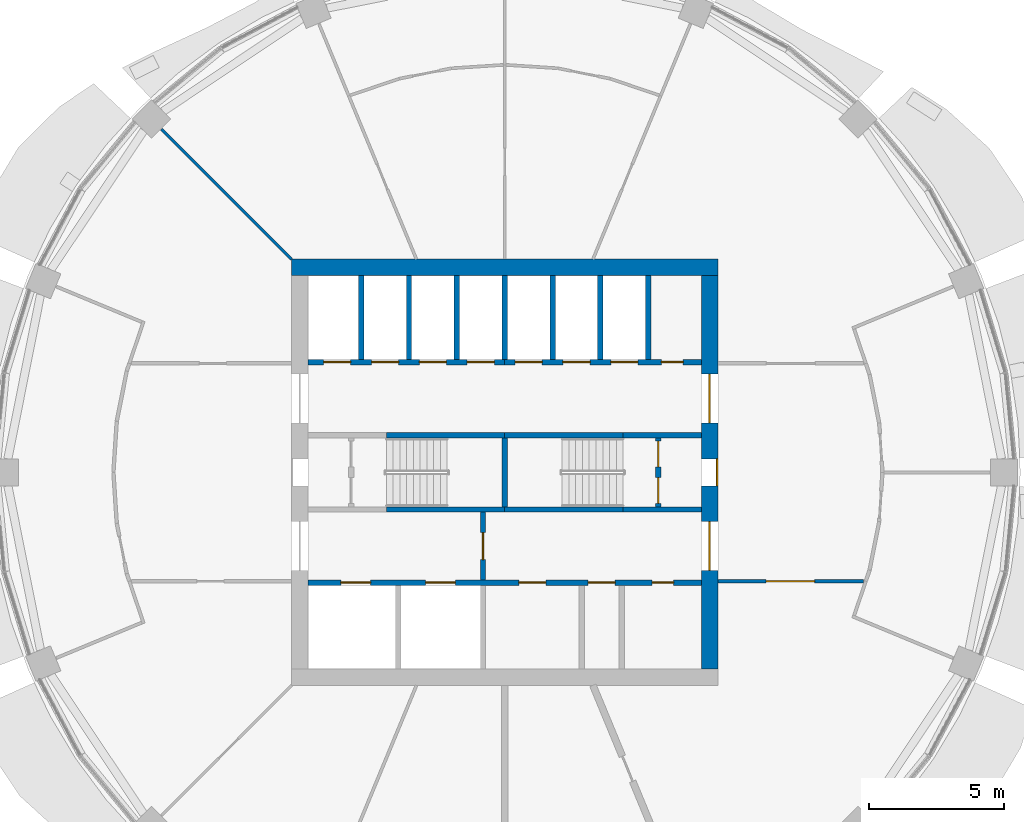
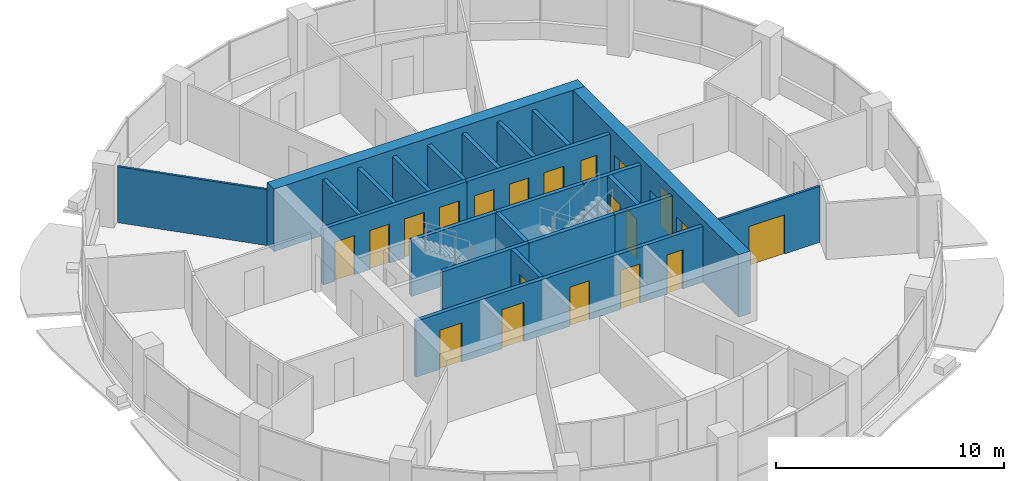
# One storey, part 9 of 15: 23 walls, 20 doors, 20 openings.
"""IFC4 building model written with IfcOpenShell, lengths in metres."""

import ifcopenshell
import ifcopenshell.guid

model = None  # the IFC model being written
_history = None  # IfcOwnerHistory: only IFC2X3 demands one
_inside = {}  # id of a spatial element -> (the spatial element, [elements in it])
_under = {}  # id of a project, library or spatial element -> (it, [spatial elements below it])
_declared = {}  # id of a project -> (the project, [libraries it declares])
_typed = {}  # id of a type object -> (the type object, [elements of that type])
_made_of = {}  # id of a material, layer set ... -> (it, [elements and type objects made of it])


def new_model(schema):
    """Start an empty IFC model of exactly this schema.

    Asked for "IFC4X3", IfcOpenShell would pick the latest addendum, in which some entities
    have other attributes; the version numbers below select the first issue.
    IFC2X3 requires an IfcOwnerHistory on every rooted entity: one is made here for all.
    """
    global model, _history
    if schema == "IFC4X3":
        model = ifcopenshell.file(schema_version=(4, 3, 0, 0))
    else:
        model = ifcopenshell.file(schema=schema)
    _inside.clear()
    _under.clear()
    _declared.clear()
    _typed.clear()
    _made_of.clear()
    _history = None
    if model.schema == "IFC2X3":
        org = make("IfcOrganization", Name="unknown")
        user = make(
            "IfcPersonAndOrganization",
            ThePerson=make("IfcPerson", FamilyName="unknown"),
            TheOrganization=org,
        )
        app = make(
            "IfcApplication",
            ApplicationDeveloper=org,
            Version="unknown",
            ApplicationFullName="unknown",
            ApplicationIdentifier="unknown",
        )
        _history = make(
            "IfcOwnerHistory",
            OwningUser=user,
            OwningApplication=app,
            ChangeAction="ADDED",
            CreationDate=0,
        )
    return model


def make(cls, **values):
    """One entity of the class cls with the attributes given. An attribute that is None is left unset."""
    return model.create_entity(
        cls, **{name: value for name, value in values.items() if value is not None}
    )


def rooted(cls, **values):
    """An entity with a GlobalId (a new one), such as an element, a storey or a relation."""
    return make(cls, GlobalId=ifcopenshell.guid.new(), OwnerHistory=_history, **values)


def si_unit(unit_type, name, prefix=None):
    """IfcSIUnit, for example si_unit("LENGTHUNIT", "METRE", prefix="MILLI")."""
    return make("IfcSIUnit", UnitType=unit_type, Prefix=prefix, Name=name)


def assignment(units):
    """IfcUnitAssignment: the units of a project."""
    return None if units is None else make("IfcUnitAssignment", Units=units)


def point(xyz):
    """IfcCartesianPoint."""
    return None if xyz is None else make("IfcCartesianPoint", Coordinates=xyz)


def direction(xyz):
    """IfcDirection."""
    return None if xyz is None else make("IfcDirection", DirectionRatios=xyz)


def frame(location, z_axis=None, x_axis=None):
    """IfcAxis2Placement3D, a coordinate frame: its origin and axes. An axis left out is left unset."""
    return make(
        "IfcAxis2Placement3D",
        Location=point(location),
        Axis=direction(z_axis),
        RefDirection=direction(x_axis),
    )


def frame_2d(location, x_axis=None):
    """IfcAxis2Placement2D, a coordinate frame in the plane: its origin and x axis."""
    return make(
        "IfcAxis2Placement2D", Location=point(location), RefDirection=direction(x_axis)
    )


def origin():
    """The frame at (0, 0, 0) with its axes left unset."""
    return frame((0.0, 0.0, 0.0))


def place(relative_to, where):
    """IfcLocalPlacement: puts the frame where relative to a parent placement (None: the world)."""
    return make(
        "IfcLocalPlacement", PlacementRelTo=relative_to, RelativePlacement=where
    )


def context(
    kind, dimensions, precision=None, world=None, true_north=None, identifier=None
):
    """IfcGeometricRepresentationContext, for example the 3D "Model" context."""
    return make(
        "IfcGeometricRepresentationContext",
        ContextIdentifier=identifier,
        ContextType=kind,
        CoordinateSpaceDimension=dimensions,
        Precision=precision,
        WorldCoordinateSystem=world,
        TrueNorth=true_north,
    )


def subcontext(parent, identifier, kind, view, scale=None):
    """IfcGeometricRepresentationSubContext, for example "Body" below "Model"."""
    return make(
        "IfcGeometricRepresentationSubContext",
        ContextIdentifier=identifier,
        ContextType=kind,
        ParentContext=parent,
        TargetScale=scale,
        TargetView=view,
    )


def project(units=None, contexts=None):
    """IfcProject with its units and contexts."""
    return rooted(
        "IfcProject",
        Name="project",
        RepresentationContexts=contexts,
        UnitsInContext=assignment(units),
    )


def spatial(cls, under=None, at=None, **own):
    """A site, building, storey or space (cls), placed at a placement, below another one or the project."""
    s = rooted(cls, ObjectPlacement=at, **own)
    if under is not None:
        _under.setdefault(under.id(), (under, []))[1].append(s)
    return s


def profile(cls, at=None, kind="AREA", **sizes):
    """A parametric profile (cls). Its sizes go by their IFC names, for example OverallWidth=200.0."""
    return make(cls, ProfileType=kind, Position=at, **sizes)


def rectangle(**sizes):
    """IfcRectangleProfileDef."""
    return profile("IfcRectangleProfileDef", **sizes)


def extrude(swept, where, along, depth):
    """IfcExtrudedAreaSolid: the profile swept, set in the frame where, extruded along a direction by depth."""
    return make(
        "IfcExtrudedAreaSolid",
        SweptArea=swept,
        Position=where,
        ExtrudedDirection=direction(along),
        Depth=depth,
    )


def shape(context_of_items, identifier, shape_type, items):
    """IfcShapeRepresentation: the items that make up one representation, for example the "Body"."""
    return make(
        "IfcShapeRepresentation",
        ContextOfItems=context_of_items,
        RepresentationIdentifier=identifier,
        RepresentationType=shape_type,
        Items=items,
    )


def material(Name=None, Category=None):
    """IfcMaterial."""
    return make("IfcMaterial", Name=Name, Category=Category)


def layer(
    of_material, thickness, ventilated=None, Name=None, Category=None, Priority=None
):
    """IfcMaterialLayer: one layer of a wall or slab, of a material (None: an air gap)."""
    return make(
        "IfcMaterialLayer",
        Material=of_material,
        LayerThickness=thickness,
        IsVentilated=ventilated,
        Name=Name,
        Category=Category,
        Priority=Priority,
    )


def layer_set(layers, Name=None):
    """IfcMaterialLayerSet."""
    return make("IfcMaterialLayerSet", MaterialLayers=layers, LayerSetName=Name)


def made_of(thing, what):
    """Note that an element or type object is made of a material, layer set ...; save() writes the relation."""
    if what is not None:
        _made_of.setdefault(what.id(), (what, []))[1].append(thing)
    return thing


def type_object(cls, material=None, **own):
    """A type object (cls), such as IfcWallType, which elements share."""
    return made_of(rooted(cls, **own), material)


def element(
    cls,
    number,
    at=None,
    inside=None,
    cuts=None,
    type_object=None,
    material=None,
    context=None,
    identifier="Body",
    shape_type=None,
    held_by="IfcProductDefinitionShape",
    body=None,
    shapes=None,
    **own,
):
    """One element of the class cls, such as IfcWall. Its Tag is "e" and its number.

    at: its placement. inside: the storey or other place that contains it. cuts: it is an
    opening in that element (IfcRelVoidsElement). A single representation is given by context,
    identifier, shape_type and body (its items); several are given by shapes. held_by: the class
    of the entity that holds the representations. save() writes the other relations.
    """
    e = rooted(cls, Tag="e%d" % number, ObjectPlacement=at, **own)
    if body is not None:
        shapes = [shape(context, identifier, shape_type, body)]
    if shapes is not None:
        e.Representation = make(held_by, Representations=shapes)
    if inside is not None:
        _inside.setdefault(inside.id(), (inside, []))[1].append(e)
    if cuts is not None:
        rooted(
            "IfcRelVoidsElement", RelatingBuildingElement=cuts, RelatedOpeningElement=e
        )
    if type_object is not None:
        _typed.setdefault(type_object.id(), (type_object, []))[1].append(e)
    return made_of(e, material)


def fill(opening, filler):
    """IfcRelFillsElement: the door or window that sits in an opening."""
    return rooted(
        "IfcRelFillsElement",
        RelatingOpeningElement=opening,
        RelatedBuildingElement=filler,
    )


def aggregate(whole, parts):
    """IfcRelAggregates: a whole, such as a stair, and the parts it consists of."""
    return rooted("IfcRelAggregates", RelatingObject=whole, RelatedObjects=parts)


def save(model, path):
    """Write the relations noted so far, then the file.

    IfcRelAggregates (storeys below a building ...), IfcRelContainedInSpatialStructure (elements
    in a storey), IfcRelDefinesByType, IfcRelAssociatesMaterial and IfcRelDeclares: one each for
    every whole, place, type object, material and project.
    """
    for whole, parts in _under.values():
        aggregate(whole, parts)
    for where, things in _inside.values():
        rooted(
            "IfcRelContainedInSpatialStructure",
            RelatedElements=things,
            RelatingStructure=where,
        )
    for kind, things in _typed.values():
        rooted("IfcRelDefinesByType", RelatedObjects=things, RelatingType=kind)
    for what, things in _made_of.values():
        rooted("IfcRelAssociatesMaterial", RelatedObjects=things, RelatingMaterial=what)
    for by, libraries in _declared.values():
        rooted("IfcRelDeclares", RelatingContext=by, RelatedDefinitions=libraries)
    model.write(path)


model = new_model("IFC4")

# Units and contexts
model_context = context("Model", 3, precision=1e-05, world=origin(), true_north=direction((0.0, 1.0)))
body_context = subcontext(model_context, "Body", "Model", "MODEL_VIEW")
ifc_project = project(units=[si_unit("LENGTHUNIT", "METRE"), si_unit("AREAUNIT", "SQUARE_METRE"), si_unit("VOLUMEUNIT", "CUBIC_METRE"), si_unit("PLANEANGLEUNIT", "RADIAN"), si_unit("MASSUNIT", "GRAM", prefix="KILO")], contexts=[model_context])

# Site, building, storey
site_placement = place(None, origin())
site = spatial("IfcSite", under=ifc_project, at=site_placement, CompositionType="ELEMENT")
building_placement = place(site_placement, origin())
building = spatial("IfcBuilding", under=site, at=building_placement, Name="Polderwave Tower", CompositionType="ELEMENT")
storey_placement = place(building_placement, frame((0.0, 0.0, 120.949951171875)))
storey = spatial("IfcBuildingStorey", under=building, at=storey_placement, Name="L31", CompositionType="ELEMENT", Elevation=120.949951171875)

# Wall
ifc_material_1 = material(Name="Concrete C60/75", Category="concrete")
ifc_layer_1 = layer(ifc_material_1, 0.60009765625)
ifc_layer_set_1 = layer_set([ifc_layer_1], Name="CORE WALL 600 C60/75")
wall_type_1 = type_object("IfcWallType", Name="CORE WALL 600 C60/75", PredefinedType="SHEAR", material=ifc_layer_set_1)
wall_1_placement = place(storey_placement, frame((-7.8740234375, 7.573974609375, 0.0), z_axis=(0.0, 0.0, 1.0), x_axis=(1.0, 0.0, 0.0)))
element("IfcWall", 1, at=wall_1_placement, inside=storey, type_object=wall_type_1, Name="ST-CORE-L31-N", PredefinedType="SHEAR", context=body_context, shape_type="SweptSolid", body=[
    extrude(rectangle(XDim=15.748046875, YDim=0.60009765625, at=frame_2d((7.8740234375, 0.0))), origin(), (0.0, 0.0, 1.0), 3.35009765625),
])

# Wall, openings, doors
wall_2_placement = place(storey_placement, frame((7.573974609375, -7.27392578125, 0.0), z_axis=(0.0, 0.0, 1.0), x_axis=(0.0, 1.0, 0.0)))
wall_2 = element("IfcWall", 2, at=wall_2_placement, inside=storey, type_object=wall_type_1, Name="ST-CORE-L31-E", PredefinedType="SHEAR", context=body_context, shape_type="SweptSolid", body=[
    extrude(rectangle(XDim=14.5478515625, YDim=0.60009765625, at=frame_2d((7.27392578125, 0.0))), origin(), (0.0, 0.0, 1.0), 3.35009765625),
])
opening_1_placement = place(wall_2_placement, frame((6.77392578125, 0.0, 0.0)))
opening_1 = element("IfcOpeningElement", 3, at=opening_1_placement, cuts=wall_2, Name="Opening L31-D22", PredefinedType="OPENING", context=body_context, shape_type="SweptSolid", body=[
    extrude(rectangle(XDim=1.0, YDim=2.10009765625, at=frame_2d((0.5, 1.050048828125))), frame((0.0, 0.31005859375, 0.0), z_axis=(0.0, -1.0, 0.0), x_axis=(1.0, 0.0, 0.0)), (0.0, 0.0, 1.0), 0.6201171875),
])
opening_2_placement = place(wall_2_placement, frame((3.6494140625, 0.0, 0.0)))
opening_2 = element("IfcOpeningElement", 4, at=opening_2_placement, cuts=wall_2, Name="Opening L31-D23", PredefinedType="OPENING", context=body_context, shape_type="SweptSolid", body=[
    extrude(rectangle(XDim=1.800048828125, YDim=2.10009765625, at=frame_2d((0.89990234375, 1.050048828125))), frame((0.0, 0.31005859375, 0.0), z_axis=(0.0, -1.0, 0.0), x_axis=(1.0, 0.0, 0.0)), (0.0, 0.0, 1.0), 0.6201171875),
])
opening_3_placement = place(wall_2_placement, frame((9.098388671875, 0.0, 0.0)))
opening_3 = element("IfcOpeningElement", 5, at=opening_3_placement, cuts=wall_2, Name="Opening L31-D24", PredefinedType="OPENING", context=body_context, shape_type="SweptSolid", body=[
    extrude(rectangle(XDim=1.800048828125, YDim=2.10009765625, at=frame_2d((0.89990234375, 1.050048828125))), frame((0.0, 0.31005859375, 0.0), z_axis=(0.0, -1.0, 0.0), x_axis=(1.0, 0.0, 0.0)), (0.0, 0.0, 1.0), 0.6201171875),
])
ifc_material_2 = material(Name="Steel fire door", Category="steel")
door_type_1 = type_object("IfcDoorType", Name="Lobby entry door pair 1800", OperationType="DOUBLE_DOOR_SINGLE_SWING", PredefinedType="DOOR", material=ifc_material_2)
door_1_placement = place(opening_2_placement, frame((1.800048828125, 0.0, 0.0), z_axis=(0.0, 0.0, 1.0), x_axis=(-1.0, 0.0, 0.0)))
door_1 = element("IfcDoor", 6, at=door_1_placement, inside=storey, type_object=door_type_1, Name="South lobby entry door", OperationType="DOUBLE_DOOR_SINGLE_SWING", OverallHeight=2.10009765625, OverallWidth=1.800048828125, PredefinedType="DOOR", context=body_context, shape_type="SweptSolid", body=[
    extrude(rectangle(XDim=1.800048828125, YDim=2.10009765625, at=frame_2d((0.89990234375, 1.050048828125))), frame((0.0, 0.02490234375, 0.0), z_axis=(0.0, -1.0, 0.0), x_axis=(1.0, 0.0, 0.0)), (0.0, 0.0, 1.0), 0.050048828125),
])
fill(opening_2, door_1)
door_2_placement = place(opening_3_placement, frame((1.800048828125, 0.0, 0.0), z_axis=(0.0, 0.0, 1.0), x_axis=(-1.0, 0.0, 0.0)))
door_2 = element("IfcDoor", 7, at=door_2_placement, inside=storey, type_object=door_type_1, Name="North lobby entry door", OperationType="DOUBLE_DOOR_SINGLE_SWING", OverallHeight=2.10009765625, OverallWidth=1.800048828125, PredefinedType="DOOR", context=body_context, shape_type="SweptSolid", body=[
    extrude(rectangle(XDim=1.800048828125, YDim=2.10009765625, at=frame_2d((0.89990234375, 1.050048828125))), frame((0.0, 0.02490234375, 0.0), z_axis=(0.0, -1.0, 0.0), x_axis=(1.0, 0.0, 0.0)), (0.0, 0.0, 1.0), 0.050048828125),
])
fill(opening_3, door_2)
door_type_2 = type_object("IfcDoorType", Name="Stair door 1000", OperationType="NOTDEFINED", PredefinedType="DOOR", material=ifc_material_2)
door_3_placement = place(opening_1_placement, frame((1.0, 0.0, 0.0), z_axis=(0.0, 0.0, 1.0), x_axis=(-1.0, 0.0, 0.0)))
door_3 = element("IfcDoor", 8, at=door_3_placement, inside=storey, type_object=door_type_2, Name="Stair B entry door", OperationType="SINGLE_SWING_LEFT", OverallHeight=2.10009765625, OverallWidth=1.0, PredefinedType="DOOR", context=body_context, shape_type="SweptSolid", body=[
    extrude(rectangle(XDim=1.0, YDim=2.10009765625, at=frame_2d((0.5, 1.050048828125))), frame((0.0, 0.2998046875, 0.0), z_axis=(0.0, -1.0, 0.0), x_axis=(1.0, 0.0, 0.0)), (0.0, 0.0, 1.0), 0.050048828125),
])
fill(opening_1, door_3)

# Wall, opening, door
ifc_material_3 = material(Name="Gypsum board partition")
ifc_layer_2 = layer(ifc_material_3, 0.199951171875)
ifc_layer_set_2 = layer_set([ifc_layer_2], Name="Core room partition 200")
wall_type_2 = type_object("IfcWallType", Name="Core room partition 200", PredefinedType="PARTITIONING", material=ifc_layer_set_2)
wall_3_placement = place(storey_placement, frame((-0.800048828125, -3.97412109375, 0.0), z_axis=(0.0, 0.0, 1.0), x_axis=(0.0, 1.0, 0.0)))
wall_3 = element("IfcWall", 9, at=wall_3_placement, inside=storey, type_object=wall_type_2, Name="L31 fire-fighting lobby wall", PredefinedType="PARTITIONING", context=body_context, shape_type="SweptSolid", body=[
    extrude(rectangle(XDim=2.4990234375, YDim=0.199951171875, at=frame_2d((1.24951171875, 0.0))), origin(), (0.0, 0.0, 1.0), 3.0),
])
opening_4_placement = place(wall_3_placement, frame((0.74951171875, 0.0, 0.0)))
opening_4 = element("IfcOpeningElement", 10, at=opening_4_placement, cuts=wall_3, Name="Opening L31-D14", PredefinedType="OPENING", context=body_context, shape_type="SweptSolid", body=[
    extrude(rectangle(XDim=1.0, YDim=2.10009765625, at=frame_2d((0.5, 1.050048828125))), frame((0.0, 0.10986328125, 0.0), z_axis=(0.0, -1.0, 0.0), x_axis=(1.0, 0.0, 0.0)), (0.0, 0.0, 1.0), 0.219970703125),
])
door_type_3 = type_object("IfcDoorType", Name="Lobby fire door 1000", OperationType="NOTDEFINED", PredefinedType="DOOR", material=ifc_material_2)
door_4_placement = place(opening_4_placement, frame((1.0, 0.0, 0.0), z_axis=(0.0, 0.0, 1.0), x_axis=(-1.0, 0.0, 0.0)))
door_4 = element("IfcDoor", 11, at=door_4_placement, inside=storey, type_object=door_type_3, Name="Fire-fighting lobby door", OperationType="SINGLE_SWING_LEFT", OverallHeight=2.10009765625, OverallWidth=1.0, PredefinedType="DOOR", context=body_context, shape_type="SweptSolid", body=[
    extrude(rectangle(XDim=1.0, YDim=2.10009765625, at=frame_2d((0.5, 1.050048828125))), frame((0.0, 0.02490234375, 0.0), z_axis=(0.0, -1.0, 0.0), x_axis=(1.0, 0.0, 0.0)), (0.0, 0.0, 1.0), 0.050048828125),
])
fill(opening_4, door_4)

# Wall, openings, doors
wall_4_placement = place(storey_placement, frame((5.674072265625, -1.27490234375, 0.0), z_axis=(0.0, 0.0, 1.0), x_axis=(0.0, 1.0, 0.0)))
wall_4 = element("IfcWall", 12, at=wall_4_placement, inside=storey, type_object=wall_type_2, Name="L31 smoke lobby wall B", PredefinedType="PARTITIONING", context=body_context, shape_type="SweptSolid", body=[
    extrude(rectangle(XDim=2.5498046875, YDim=0.199951171875, at=frame_2d((1.27490234375, 0.0))), origin(), (0.0, 0.0, 1.0), 3.0),
])
opening_5_placement = place(wall_4_placement, frame((0.125, 0.0, 0.0)))
opening_5 = element("IfcOpeningElement", 13, at=opening_5_placement, cuts=wall_4, Name="Opening L31-D12", PredefinedType="OPENING", context=body_context, shape_type="SweptSolid", body=[
    extrude(rectangle(XDim=0.949951171875, YDim=2.10009765625, at=frame_2d((0.47509765625, 1.050048828125))), frame((0.0, 0.10986328125, 0.0), z_axis=(0.0, -1.0, 0.0), x_axis=(1.0, 0.0, 0.0)), (0.0, 0.0, 1.0), 0.219970703125),
])
opening_6_placement = place(wall_4_placement, frame((1.47509765625, 0.0, 0.0)))
opening_6 = element("IfcOpeningElement", 14, at=opening_6_placement, cuts=wall_4, Name="Opening L31-D13", PredefinedType="OPENING", context=body_context, shape_type="SweptSolid", body=[
    extrude(rectangle(XDim=0.949951171875, YDim=2.10009765625, at=frame_2d((0.47509765625, 1.050048828125))), frame((0.0, 0.10986328125, 0.0), z_axis=(0.0, -1.0, 0.0), x_axis=(1.0, 0.0, 0.0)), (0.0, 0.0, 1.0), 0.219970703125),
])
door_type_4 = type_object("IfcDoorType", Name="Smoke lobby door 950", OperationType="NOTDEFINED", PredefinedType="DOOR", material=ifc_material_2)
door_5_placement = place(opening_5_placement, frame((0.949951171875, 0.0, 0.0), z_axis=(0.0, 0.0, 1.0), x_axis=(-1.0, 0.0, 0.0)))
door_5 = element("IfcDoor", 15, at=door_5_placement, inside=storey, type_object=door_type_4, Name="Stair B smoke lobby inner door", OperationType="SINGLE_SWING_RIGHT", OverallHeight=2.10009765625, OverallWidth=0.949951171875, PredefinedType="DOOR", context=body_context, shape_type="SweptSolid", body=[
    extrude(rectangle(XDim=0.949951171875, YDim=2.10009765625, at=frame_2d((0.47509765625, 1.050048828125))), frame((0.0, 0.02490234375, 0.0), z_axis=(0.0, -1.0, 0.0), x_axis=(1.0, 0.0, 0.0)), (0.0, 0.0, 1.0), 0.050048828125),
])
fill(opening_5, door_5)
door_6_placement = place(opening_6_placement, frame((0.949951171875, 0.0, 0.0), z_axis=(0.0, 0.0, 1.0), x_axis=(-1.0, 0.0, 0.0)))
door_6 = element("IfcDoor", 16, at=door_6_placement, inside=storey, type_object=door_type_4, Name="Stair B smoke lobby inner door", OperationType="SINGLE_SWING_LEFT", OverallHeight=2.10009765625, OverallWidth=0.949951171875, PredefinedType="DOOR", context=body_context, shape_type="SweptSolid", body=[
    extrude(rectangle(XDim=0.949951171875, YDim=2.10009765625, at=frame_2d((0.47509765625, 1.050048828125))), frame((0.0, 0.02490234375, 0.0), z_axis=(0.0, -1.0, 0.0), x_axis=(1.0, 0.0, 0.0)), (0.0, 0.0, 1.0), 0.050048828125),
])
fill(opening_6, door_6)

ifc_material_4 = material(Name="Concrete C50/60", Category="concrete")
ifc_layer_3 = layer(ifc_material_4, 0.199951171875)
ifc_layer_set_3 = layer_set([ifc_layer_3], Name="Core web wall 200")
wall_type_3 = type_object("IfcWallType", Name="Core web wall 200", PredefinedType="SHEAR", material=ifc_layer_set_3)
wall_5_placement = place(storey_placement, frame((-7.27392578125, -4.073974609375, 0.0), z_axis=(0.0, 0.0, 1.0), x_axis=(1.0, 0.0, 0.0)))
wall_5 = element("IfcWall", 17, at=wall_5_placement, inside=storey, type_object=wall_type_3, Name="L31 south front wall", PredefinedType="SHEAR", context=body_context, shape_type="SweptSolid", body=[
    extrude(rectangle(XDim=14.5478515625, YDim=0.199951171875, at=frame_2d((7.27392578125, 0.0))), origin(), (0.0, 0.0, 1.0), 3.0),
])
opening_7_placement = place(wall_5_placement, frame((1.218505859375, 0.0, 0.0)))
opening_7 = element("IfcOpeningElement", 18, at=opening_7_placement, cuts=wall_5, Name="Opening L31-D01", PredefinedType="OPENING", context=body_context, shape_type="SweptSolid", body=[
    extrude(rectangle(XDim=1.10009765625, YDim=2.10009765625, at=frame_2d((0.550048828125, 1.050048828125))), frame((0.0, 0.10986328125, 0.0), z_axis=(0.0, -1.0, 0.0), x_axis=(1.0, 0.0, 0.0)), (0.0, 0.0, 1.0), 0.219970703125),
])
opening_8_placement = place(wall_5_placement, frame((4.35546875, 0.0, 0.0)))
opening_8 = element("IfcOpeningElement", 19, at=opening_8_placement, cuts=wall_5, Name="Opening L31-D02", PredefinedType="OPENING", context=body_context, shape_type="SweptSolid", body=[
    extrude(rectangle(XDim=1.10009765625, YDim=2.10009765625, at=frame_2d((0.550048828125, 1.050048828125))), frame((0.0, 0.10986328125, 0.0), z_axis=(0.0, -1.0, 0.0), x_axis=(1.0, 0.0, 0.0)), (0.0, 0.0, 1.0), 0.219970703125),
])
opening_9_placement = place(wall_5_placement, frame((7.79541015625, 0.0, 0.0)))
opening_9 = element("IfcOpeningElement", 20, at=opening_9_placement, cuts=wall_5, Name="Opening L31-D15", PredefinedType="OPENING", context=body_context, shape_type="SweptSolid", body=[
    extrude(rectangle(XDim=1.0, YDim=2.10009765625, at=frame_2d((0.5, 1.050048828125))), frame((0.0, 0.10986328125, 0.0), z_axis=(0.0, -1.0, 0.0), x_axis=(1.0, 0.0, 0.0)), (0.0, 0.0, 1.0), 0.219970703125),
])
opening_10_placement = place(wall_5_placement, frame((10.356201171875, 0.0, 0.0)))
opening_10 = element("IfcOpeningElement", 21, at=opening_10_placement, cuts=wall_5, Name="Opening L31-D16", PredefinedType="OPENING", context=body_context, shape_type="SweptSolid", body=[
    extrude(rectangle(XDim=1.0, YDim=2.10009765625, at=frame_2d((0.5, 1.050048828125))), frame((0.0, 0.10986328125, 0.0), z_axis=(0.0, -1.0, 0.0), x_axis=(1.0, 0.0, 0.0)), (0.0, 0.0, 1.0), 0.219970703125),
])
opening_11_placement = place(wall_5_placement, frame((12.7216796875, 0.0, 0.0)))
opening_11 = element("IfcOpeningElement", 22, at=opening_11_placement, cuts=wall_5, Name="Opening L31-D17", PredefinedType="OPENING", context=body_context, shape_type="SweptSolid", body=[
    extrude(rectangle(XDim=0.800048828125, YDim=2.10009765625, at=frame_2d((0.39990234375, 1.050048828125))), frame((0.0, 0.10986328125, 0.0), z_axis=(0.0, -1.0, 0.0), x_axis=(1.0, 0.0, 0.0)), (0.0, 0.0, 1.0), 0.219970703125),
])
ifc_material_5 = material(Name="Stainless steel", Category="steel")
door_type_5 = type_object("IfcDoorType", Name="Fire-fighting lift landing door 1100", OperationType="DOUBLE_DOOR_SLIDING", PredefinedType="DOOR", material=ifc_material_5)
door_7_placement = place(opening_7_placement, origin())
door_7 = element("IfcDoor", 23, at=door_7_placement, inside=storey, type_object=door_type_5, Name="Fire-fighting lift FF1 landing door", OperationType="DOUBLE_DOOR_SLIDING", OverallHeight=2.10009765625, OverallWidth=1.10009765625, PredefinedType="DOOR", context=body_context, shape_type="SweptSolid", body=[
    extrude(rectangle(XDim=1.10009765625, YDim=2.10009765625, at=frame_2d((0.550048828125, 1.050048828125))), frame((0.0, 0.02490234375, 0.0), z_axis=(0.0, -1.0, 0.0), x_axis=(1.0, 0.0, 0.0)), (0.0, 0.0, 1.0), 0.050048828125),
])
fill(opening_7, door_7)
door_8_placement = place(opening_8_placement, origin())
door_8 = element("IfcDoor", 24, at=door_8_placement, inside=storey, type_object=door_type_5, Name="Fire-fighting lift FF2 landing door", OperationType="DOUBLE_DOOR_SLIDING", OverallHeight=2.10009765625, OverallWidth=1.10009765625, PredefinedType="DOOR", context=body_context, shape_type="SweptSolid", body=[
    extrude(rectangle(XDim=1.10009765625, YDim=2.10009765625, at=frame_2d((0.550048828125, 1.050048828125))), frame((0.0, 0.02490234375, 0.0), z_axis=(0.0, -1.0, 0.0), x_axis=(1.0, 0.0, 0.0)), (0.0, 0.0, 1.0), 0.050048828125),
])
fill(opening_8, door_8)
door_type_6 = type_object("IfcDoorType", Name="Riser door 800", OperationType="NOTDEFINED", PredefinedType="DOOR", material=ifc_material_2)
door_9_placement = place(opening_11_placement, origin())
door_9 = element("IfcDoor", 25, at=door_9_placement, inside=storey, type_object=door_type_6, Name="Communications room door", OperationType="SINGLE_SWING_RIGHT", OverallHeight=2.10009765625, OverallWidth=0.800048828125, PredefinedType="DOOR", context=body_context, shape_type="SweptSolid", body=[
    extrude(rectangle(XDim=0.800048828125, YDim=2.10009765625, at=frame_2d((0.39990234375, 1.050048828125))), frame((0.0, 0.02490234375, 0.0), z_axis=(0.0, -1.0, 0.0), x_axis=(1.0, 0.0, 0.0)), (0.0, 0.0, 1.0), 0.050048828125),
])
fill(opening_11, door_9)
ifc_material_6 = material(Name="Timber door leaf", Category="wood")
door_type_7 = type_object("IfcDoorType", Name="Room door 1000", OperationType="NOTDEFINED", PredefinedType="DOOR", material=ifc_material_6)
door_10_placement = place(opening_9_placement, frame((1.0, 0.0, 0.0), z_axis=(0.0, 0.0, 1.0), x_axis=(-1.0, 0.0, 0.0)))
door_10 = element("IfcDoor", 26, at=door_10_placement, inside=storey, type_object=door_type_7, Name="Pantry door", OperationType="SINGLE_SWING_LEFT", OverallHeight=2.10009765625, OverallWidth=1.0, PredefinedType="DOOR", context=body_context, shape_type="SweptSolid", body=[
    extrude(rectangle(XDim=1.0, YDim=2.10009765625, at=frame_2d((0.5, 1.050048828125))), frame((0.0, 0.02490234375, 0.0), z_axis=(0.0, -1.0, 0.0), x_axis=(1.0, 0.0, 0.0)), (0.0, 0.0, 1.0), 0.050048828125),
])
fill(opening_9, door_10)
door_11_placement = place(opening_10_placement, frame((1.0, 0.0, 0.0), z_axis=(0.0, 0.0, 1.0), x_axis=(-1.0, 0.0, 0.0)))
door_11 = element("IfcDoor", 27, at=door_11_placement, inside=storey, type_object=door_type_7, Name="Cleaner's store door", OperationType="SINGLE_SWING_LEFT", OverallHeight=2.10009765625, OverallWidth=1.0, PredefinedType="DOOR", context=body_context, shape_type="SweptSolid", body=[
    extrude(rectangle(XDim=1.0, YDim=2.10009765625, at=frame_2d((0.5, 1.050048828125))), frame((0.0, 0.02490234375, 0.0), z_axis=(0.0, -1.0, 0.0), x_axis=(1.0, 0.0, 0.0)), (0.0, 0.0, 1.0), 0.050048828125),
])
fill(opening_10, door_11)

wall_6_placement = place(storey_placement, frame((-7.27392578125, 4.073974609375, 0.0), z_axis=(0.0, 0.0, 1.0), x_axis=(1.0, 0.0, 0.0)))
wall_6 = element("IfcWall", 28, at=wall_6_placement, inside=storey, type_object=wall_type_3, Name="L31 north front wall 1", PredefinedType="SHEAR", context=body_context, shape_type="SweptSolid", body=[
    extrude(rectangle(XDim=7.27392578125, YDim=0.199951171875, at=frame_2d((3.636962890625, 0.0))), origin(), (0.0, 0.0, 1.0), 3.0),
])
opening_12_placement = place(wall_6_placement, frame((0.584228515625, 0.0, 0.0)))
opening_12 = element("IfcOpeningElement", 29, at=opening_12_placement, cuts=wall_6, Name="Opening L31-D03", PredefinedType="OPENING", context=body_context, shape_type="SweptSolid", body=[
    extrude(rectangle(XDim=1.0, YDim=2.10009765625, at=frame_2d((0.5, 1.050048828125))), frame((0.0, 0.10986328125, 0.0), z_axis=(0.0, -1.0, 0.0), x_axis=(1.0, 0.0, 0.0)), (0.0, 0.0, 1.0), 0.219970703125),
])
opening_13_placement = place(wall_6_placement, frame((2.352783203125, 0.0, 0.0)))
opening_13 = element("IfcOpeningElement", 30, at=opening_13_placement, cuts=wall_6, Name="Opening L31-D04", PredefinedType="OPENING", context=body_context, shape_type="SweptSolid", body=[
    extrude(rectangle(XDim=1.0, YDim=2.10009765625, at=frame_2d((0.5, 1.050048828125))), frame((0.0, 0.10986328125, 0.0), z_axis=(0.0, -1.0, 0.0), x_axis=(1.0, 0.0, 0.0)), (0.0, 0.0, 1.0), 0.219970703125),
])
opening_14_placement = place(wall_6_placement, frame((4.12109375, 0.0, 0.0)))
opening_14 = element("IfcOpeningElement", 31, at=opening_14_placement, cuts=wall_6, Name="Opening L31-D05", PredefinedType="OPENING", context=body_context, shape_type="SweptSolid", body=[
    extrude(rectangle(XDim=1.0, YDim=2.10009765625, at=frame_2d((0.5, 1.050048828125))), frame((0.0, 0.10986328125, 0.0), z_axis=(0.0, -1.0, 0.0), x_axis=(1.0, 0.0, 0.0)), (0.0, 0.0, 1.0), 0.219970703125),
])
opening_15_placement = place(wall_6_placement, frame((5.889892578125, 0.0, 0.0)))
opening_15 = element("IfcOpeningElement", 32, at=opening_15_placement, cuts=wall_6, Name="Opening L31-D06", PredefinedType="OPENING", context=body_context, shape_type="SweptSolid", body=[
    extrude(rectangle(XDim=1.0, YDim=2.10009765625, at=frame_2d((0.5, 1.050048828125))), frame((0.0, 0.10986328125, 0.0), z_axis=(0.0, -1.0, 0.0), x_axis=(1.0, 0.0, 0.0)), (0.0, 0.0, 1.0), 0.219970703125),
])
door_type_8 = type_object("IfcDoorType", Name="Lift landing door 1000", OperationType="DOUBLE_DOOR_SLIDING", PredefinedType="DOOR", material=ifc_material_5)
door_12_placement = place(opening_12_placement, frame((1.0, 0.0, 0.0), z_axis=(0.0, 0.0, 1.0), x_axis=(-1.0, 0.0, 0.0)))
door_12 = element("IfcDoor", 33, at=door_12_placement, inside=storey, type_object=door_type_8, Name="Lift HL1 landing door", OperationType="DOUBLE_DOOR_SLIDING", OverallHeight=2.10009765625, OverallWidth=1.0, PredefinedType="DOOR", context=body_context, shape_type="SweptSolid", body=[
    extrude(rectangle(XDim=1.0, YDim=2.10009765625, at=frame_2d((0.5, 1.050048828125))), frame((0.0, 0.02490234375, 0.0), z_axis=(0.0, -1.0, 0.0), x_axis=(1.0, 0.0, 0.0)), (0.0, 0.0, 1.0), 0.050048828125),
])
fill(opening_12, door_12)
door_13_placement = place(opening_13_placement, frame((1.0, 0.0, 0.0), z_axis=(0.0, 0.0, 1.0), x_axis=(-1.0, 0.0, 0.0)))
door_13 = element("IfcDoor", 34, at=door_13_placement, inside=storey, type_object=door_type_8, Name="Lift HL2 landing door", OperationType="DOUBLE_DOOR_SLIDING", OverallHeight=2.10009765625, OverallWidth=1.0, PredefinedType="DOOR", context=body_context, shape_type="SweptSolid", body=[
    extrude(rectangle(XDim=1.0, YDim=2.10009765625, at=frame_2d((0.5, 1.050048828125))), frame((0.0, 0.02490234375, 0.0), z_axis=(0.0, -1.0, 0.0), x_axis=(1.0, 0.0, 0.0)), (0.0, 0.0, 1.0), 0.050048828125),
])
fill(opening_13, door_13)
door_14_placement = place(opening_14_placement, frame((1.0, 0.0, 0.0), z_axis=(0.0, 0.0, 1.0), x_axis=(-1.0, 0.0, 0.0)))
door_14 = element("IfcDoor", 35, at=door_14_placement, inside=storey, type_object=door_type_8, Name="Lift HL3 landing door", OperationType="DOUBLE_DOOR_SLIDING", OverallHeight=2.10009765625, OverallWidth=1.0, PredefinedType="DOOR", context=body_context, shape_type="SweptSolid", body=[
    extrude(rectangle(XDim=1.0, YDim=2.10009765625, at=frame_2d((0.5, 1.050048828125))), frame((0.0, 0.02490234375, 0.0), z_axis=(0.0, -1.0, 0.0), x_axis=(1.0, 0.0, 0.0)), (0.0, 0.0, 1.0), 0.050048828125),
])
fill(opening_14, door_14)
door_15_placement = place(opening_15_placement, frame((1.0, 0.0, 0.0), z_axis=(0.0, 0.0, 1.0), x_axis=(-1.0, 0.0, 0.0)))
door_15 = element("IfcDoor", 36, at=door_15_placement, inside=storey, type_object=door_type_8, Name="Lift HL4 landing door", OperationType="DOUBLE_DOOR_SLIDING", OverallHeight=2.10009765625, OverallWidth=1.0, PredefinedType="DOOR", context=body_context, shape_type="SweptSolid", body=[
    extrude(rectangle(XDim=1.0, YDim=2.10009765625, at=frame_2d((0.5, 1.050048828125))), frame((0.0, 0.02490234375, 0.0), z_axis=(0.0, -1.0, 0.0), x_axis=(1.0, 0.0, 0.0)), (0.0, 0.0, 1.0), 0.050048828125),
])
fill(opening_15, door_15)

wall_7_placement = place(storey_placement, frame((0.0, 4.073974609375, 0.0), z_axis=(0.0, 0.0, 1.0), x_axis=(1.0, 0.0, 0.0)))
wall_7 = element("IfcWall", 37, at=wall_7_placement, inside=storey, type_object=wall_type_3, Name="L31 north front wall 2", PredefinedType="SHEAR", context=body_context, shape_type="SweptSolid", body=[
    extrude(rectangle(XDim=7.27392578125, YDim=0.199951171875, at=frame_2d((3.636962890625, 0.0))), origin(), (0.0, 0.0, 1.0), 3.0),
])
opening_16_placement = place(wall_7_placement, frame((0.38427734375, 0.0, 0.0)))
opening_16 = element("IfcOpeningElement", 38, at=opening_16_placement, cuts=wall_7, Name="Opening L31-D07", PredefinedType="OPENING", context=body_context, shape_type="SweptSolid", body=[
    extrude(rectangle(XDim=1.0, YDim=2.10009765625, at=frame_2d((0.5, 1.050048828125))), frame((0.0, 0.10986328125, 0.0), z_axis=(0.0, -1.0, 0.0), x_axis=(1.0, 0.0, 0.0)), (0.0, 0.0, 1.0), 0.219970703125),
])
opening_17_placement = place(wall_7_placement, frame((2.15283203125, 0.0, 0.0)))
opening_17 = element("IfcOpeningElement", 39, at=opening_17_placement, cuts=wall_7, Name="Opening L31-D08", PredefinedType="OPENING", context=body_context, shape_type="SweptSolid", body=[
    extrude(rectangle(XDim=1.0, YDim=2.10009765625, at=frame_2d((0.5, 1.050048828125))), frame((0.0, 0.10986328125, 0.0), z_axis=(0.0, -1.0, 0.0), x_axis=(1.0, 0.0, 0.0)), (0.0, 0.0, 1.0), 0.219970703125),
])
opening_18_placement = place(wall_7_placement, frame((3.921142578125, 0.0, 0.0)))
opening_18 = element("IfcOpeningElement", 40, at=opening_18_placement, cuts=wall_7, Name="Opening L31-D09", PredefinedType="OPENING", context=body_context, shape_type="SweptSolid", body=[
    extrude(rectangle(XDim=1.0, YDim=2.10009765625, at=frame_2d((0.5, 1.050048828125))), frame((0.0, 0.10986328125, 0.0), z_axis=(0.0, -1.0, 0.0), x_axis=(1.0, 0.0, 0.0)), (0.0, 0.0, 1.0), 0.219970703125),
])
opening_19_placement = place(wall_7_placement, frame((5.789794921875, 0.0, 0.0)))
opening_19 = element("IfcOpeningElement", 41, at=opening_19_placement, cuts=wall_7, Name="Opening L31-D18", PredefinedType="OPENING", context=body_context, shape_type="SweptSolid", body=[
    extrude(rectangle(XDim=0.800048828125, YDim=2.10009765625, at=frame_2d((0.39990234375, 1.050048828125))), frame((0.0, 0.10986328125, 0.0), z_axis=(0.0, -1.0, 0.0), x_axis=(1.0, 0.0, 0.0)), (0.0, 0.0, 1.0), 0.219970703125),
])
door_16_placement = place(opening_16_placement, frame((1.0, 0.0, 0.0), z_axis=(0.0, 0.0, 1.0), x_axis=(-1.0, 0.0, 0.0)))
door_16 = element("IfcDoor", 42, at=door_16_placement, inside=storey, type_object=door_type_8, Name="Lift HL5 landing door", OperationType="DOUBLE_DOOR_SLIDING", OverallHeight=2.10009765625, OverallWidth=1.0, PredefinedType="DOOR", context=body_context, shape_type="SweptSolid", body=[
    extrude(rectangle(XDim=1.0, YDim=2.10009765625, at=frame_2d((0.5, 1.050048828125))), frame((0.0, 0.02490234375, 0.0), z_axis=(0.0, -1.0, 0.0), x_axis=(1.0, 0.0, 0.0)), (0.0, 0.0, 1.0), 0.050048828125),
])
fill(opening_16, door_16)
door_17_placement = place(opening_17_placement, frame((1.0, 0.0, 0.0), z_axis=(0.0, 0.0, 1.0), x_axis=(-1.0, 0.0, 0.0)))
door_17 = element("IfcDoor", 43, at=door_17_placement, inside=storey, type_object=door_type_8, Name="Lift HL6 landing door", OperationType="DOUBLE_DOOR_SLIDING", OverallHeight=2.10009765625, OverallWidth=1.0, PredefinedType="DOOR", context=body_context, shape_type="SweptSolid", body=[
    extrude(rectangle(XDim=1.0, YDim=2.10009765625, at=frame_2d((0.5, 1.050048828125))), frame((0.0, 0.02490234375, 0.0), z_axis=(0.0, -1.0, 0.0), x_axis=(1.0, 0.0, 0.0)), (0.0, 0.0, 1.0), 0.050048828125),
])
fill(opening_17, door_17)
door_18_placement = place(opening_18_placement, frame((1.0, 0.0, 0.0), z_axis=(0.0, 0.0, 1.0), x_axis=(-1.0, 0.0, 0.0)))
door_18 = element("IfcDoor", 44, at=door_18_placement, inside=storey, type_object=door_type_8, Name="Lift HL7 landing door", OperationType="DOUBLE_DOOR_SLIDING", OverallHeight=2.10009765625, OverallWidth=1.0, PredefinedType="DOOR", context=body_context, shape_type="SweptSolid", body=[
    extrude(rectangle(XDim=1.0, YDim=2.10009765625, at=frame_2d((0.5, 1.050048828125))), frame((0.0, 0.02490234375, 0.0), z_axis=(0.0, -1.0, 0.0), x_axis=(1.0, 0.0, 0.0)), (0.0, 0.0, 1.0), 0.050048828125),
])
fill(opening_18, door_18)
door_19_placement = place(opening_19_placement, frame((0.800048828125, 0.0, 0.0), z_axis=(0.0, 0.0, 1.0), x_axis=(-1.0, 0.0, 0.0)))
door_19 = element("IfcDoor", 45, at=door_19_placement, inside=storey, type_object=door_type_6, Name="Riser door", OperationType="SINGLE_SWING_LEFT", OverallHeight=2.10009765625, OverallWidth=0.800048828125, PredefinedType="DOOR", context=body_context, shape_type="SweptSolid", body=[
    extrude(rectangle(XDim=0.800048828125, YDim=2.10009765625, at=frame_2d((0.39990234375, 1.050048828125))), frame((0.0, 0.02490234375, 0.0), z_axis=(0.0, -1.0, 0.0), x_axis=(1.0, 0.0, 0.0)), (0.0, 0.0, 1.0), 0.050048828125),
])
fill(opening_19, door_19)

# Walls
for number, where, z_axis, x_axis, name in (
    (46, (-4.3740234375, -1.375, 0.0), (0.0, 0.0, 1.0), (1.0, 0.0, 0.0), "L31 south stair wall 2"),
    (47, (0.0, -1.375, 0.0), (0.0, 0.0, 1.0), (1.0, 0.0, 0.0), "L31 south stair wall 3"),
):
    element("IfcWall", number, at=place(storey_placement, frame(where, z_axis=z_axis, x_axis=x_axis)), inside=storey, type_object=wall_type_3, Name=name, PredefinedType="SHEAR", context=body_context, shape_type="SweptSolid", body=[
        extrude(rectangle(XDim=4.3740234375, YDim=0.199951171875, at=frame_2d((2.18701171875, 0.0))), origin(), (0.0, 0.0, 1.0), 3.0),
    ])
wall_8_placement = place(storey_placement, frame((4.3740234375, -1.375, 0.0), z_axis=(0.0, 0.0, 1.0), x_axis=(1.0, 0.0, 0.0)))
element("IfcWall", 48, at=wall_8_placement, inside=storey, type_object=wall_type_3, Name="L31 south stair wall 4", PredefinedType="SHEAR", context=body_context, shape_type="SweptSolid", body=[
    extrude(rectangle(XDim=2.89990234375, YDim=0.199951171875, at=frame_2d((1.449951171875, 0.0))), origin(), (0.0, 0.0, 1.0), 3.0),
])
for number, where, z_axis, x_axis, name in (
    (49, (-4.3740234375, 1.375, 0.0), (0.0, 0.0, 1.0), (1.0, 0.0, 0.0), "L31 north stair wall 2"),
    (50, (0.0, 1.375, 0.0), (0.0, 0.0, 1.0), (1.0, 0.0, 0.0), "L31 north stair wall 3"),
):
    element("IfcWall", number, at=place(storey_placement, frame(where, z_axis=z_axis, x_axis=x_axis)), inside=storey, type_object=wall_type_3, Name=name, PredefinedType="SHEAR", context=body_context, shape_type="SweptSolid", body=[
        extrude(rectangle(XDim=4.3740234375, YDim=0.199951171875, at=frame_2d((2.18701171875, 0.0))), origin(), (0.0, 0.0, 1.0), 3.0),
    ])
wall_9_placement = place(storey_placement, frame((4.3740234375, 1.375, 0.0), z_axis=(0.0, 0.0, 1.0), x_axis=(1.0, 0.0, 0.0)))
element("IfcWall", 51, at=wall_9_placement, inside=storey, type_object=wall_type_3, Name="L31 north stair wall 4", PredefinedType="SHEAR", context=body_context, shape_type="SweptSolid", body=[
    extrude(rectangle(XDim=2.89990234375, YDim=0.199951171875, at=frame_2d((1.449951171875, 0.0))), origin(), (0.0, 0.0, 1.0), 3.0),
])
wall_10_placement = place(storey_placement, frame((0.0, -1.27490234375, 0.0), z_axis=(0.0, 0.0, 1.0), x_axis=(0.0, 1.0, 0.0)))
element("IfcWall", 52, at=wall_10_placement, inside=storey, type_object=wall_type_3, Name="L31 wall between the stairs", PredefinedType="SHEAR", context=body_context, shape_type="SweptSolid", body=[
    extrude(rectangle(XDim=2.5498046875, YDim=0.199951171875, at=frame_2d((1.27490234375, 0.0))), origin(), (0.0, 0.0, 1.0), 3.0),
])

# Wall, opening, door
ifc_material_7 = material(Name="Fire-resisting board on steel studs", Category="steel")
ifc_layer_4 = layer(ifc_material_7, 0.125)
ifc_layer_set_4 = layer_set([ifc_layer_4], Name="Corridor wall 125 mm EI 60")
wall_type_4 = type_object("IfcWallType", Name="Corridor wall 125 mm EI 60", PredefinedType="PARTITIONING", material=ifc_layer_set_4)
wall_11_placement = place(storey_placement, frame((13.257568359375, -4.0244140625, 0.0), z_axis=(0.0, 0.0, 1.0), x_axis=(-1.0, 0.0, 0.0)))
wall_11 = element("IfcWall", 53, at=wall_11_placement, inside=storey, type_object=wall_type_4, Name="IN-L31-W005", PredefinedType="PARTITIONING", context=body_context, shape_type="SweptSolid", body=[
    extrude(rectangle(XDim=5.383544921875, YDim=0.125, at=frame_2d((2.69189453125, 0.0))), origin(), (0.0, 0.0, 1.0), 3.0),
])
opening_20_placement = place(wall_11_placement, frame((1.800048828125, 0.0, 0.0)))
opening_20 = element("IfcOpeningElement", 54, at=opening_20_placement, cuts=wall_11, Name="Opening L31-D52", PredefinedType="OPENING", context=body_context, shape_type="SweptSolid", body=[
    extrude(rectangle(XDim=1.800048828125, YDim=2.10009765625, at=frame_2d((0.89990234375, 1.050048828125))), frame((0.0, 0.072509765625, 0.0), z_axis=(0.0, -1.0, 0.0), x_axis=(1.0, 0.0, 0.0)), (0.0, 0.0, 1.0), 0.14501953125),
])
ifc_material_8 = material(Name="Timber fire door leaves", Category="wood")
door_type_9 = type_object("IfcDoorType", Name="Double fire door FD30S 1800 x 2100", OperationType="NOTDEFINED", PredefinedType="DOOR", material=ifc_material_8)
door_20_placement = place(opening_20_placement, origin())
door_20 = element("IfcDoor", 55, at=door_20_placement, inside=storey, type_object=door_type_9, Name="Door L31-D52", OperationType="DOUBLE_DOOR_SINGLE_SWING", OverallHeight=2.10009765625, OverallWidth=1.800048828125, PredefinedType="DOOR", context=body_context, shape_type="SweptSolid", body=[
    extrude(rectangle(XDim=1.800048828125, YDim=2.10009765625, at=frame_2d((0.89990234375, 1.050048828125))), frame((0.0, 0.02490234375, 0.0), z_axis=(0.0, -1.0, 0.0), x_axis=(1.0, 0.0, 0.0)), (0.0, 0.0, 1.0), 0.050048828125),
])
fill(opening_20, door_20)

# Walls
ifc_material_9 = material(Name="Acoustic double plasterboard on steel studs", Category="steel")
ifc_layer_5 = layer(ifc_material_9, 0.110107421875)
ifc_layer_set_5 = layer_set([ifc_layer_5], Name="Partition 110 mm acoustic double board")
wall_type_5 = type_object("IfcWallType", Name="Partition 110 mm acoustic double board", PredefinedType="PARTITIONING", material=ifc_layer_set_5)
wall_12_placement = place(storey_placement, frame((-7.8740234375, 7.8740234375, 0.0), z_axis=(0.0, 0.0, 1.0), x_axis=(-0.707106781187, 0.707106781187, 0.0)))
element("IfcWall", 56, at=wall_12_placement, inside=storey, type_object=wall_type_5, Name="IN-L31-W032", PredefinedType="PARTITIONING", context=body_context, shape_type="SweptSolid", body=[
    extrude(rectangle(XDim=6.79443359375, YDim=0.110107421875, at=frame_2d((3.397216796875, 0.0))), origin(), (0.0, 0.0, 1.0), 3.0),
])
ifc_material_10 = material(Name="Gypsum shaft wall system")
ifc_layer_6 = layer(ifc_material_10, 0.199951171875)
ifc_layer_set_6 = layer_set([ifc_layer_6], Name="Shaft wall 200")
wall_type_6 = type_object("IfcWallType", Name="Shaft wall 200", PredefinedType="PARTITIONING", material=ifc_layer_set_6)
for number, where, z_axis, x_axis, name in (
    (57, (-5.305419921875, 4.174072265625, 0.0), (0.0, 0.0, 1.0), (0.0, 1.0, 0.0), "L31 lift shaft wall N1"),
    (58, (-3.537109375, 4.174072265625, 0.0), (0.0, 0.0, 1.0), (0.0, 1.0, 0.0), "L31 lift shaft wall N2"),
    (59, (-1.7685546875, 4.174072265625, 0.0), (0.0, 0.0, 1.0), (0.0, 1.0, 0.0), "L31 lift shaft wall N3"),
    (60, (0.0, 4.174072265625, 0.0), (0.0, 0.0, 1.0), (0.0, 1.0, 0.0), "L31 lift shaft wall N4"),
    (61, (1.7685546875, 4.174072265625, 0.0), (0.0, 0.0, 1.0), (0.0, 1.0, 0.0), "L31 lift shaft wall N5"),
    (62, (3.537109375, 4.174072265625, 0.0), (0.0, 0.0, 1.0), (0.0, 1.0, 0.0), "L31 lift shaft wall N6"),
    (63, (5.305419921875, 4.174072265625, 0.0), (0.0, 0.0, 1.0), (0.0, 1.0, 0.0), "L31 lift shaft wall N7"),
):
    element("IfcWall", number, at=place(storey_placement, frame(where, z_axis=z_axis, x_axis=x_axis)), inside=storey, type_object=wall_type_6, Name=name, PredefinedType="PARTITIONING", context=body_context, shape_type="SweptSolid", body=[
        extrude(rectangle(XDim=3.099853515625, YDim=0.199951171875, at=frame_2d((1.5498046875, 0.0))), origin(), (0.0, 0.0, 1.0), 3.0),
    ])

save(model, "model.ifc")
